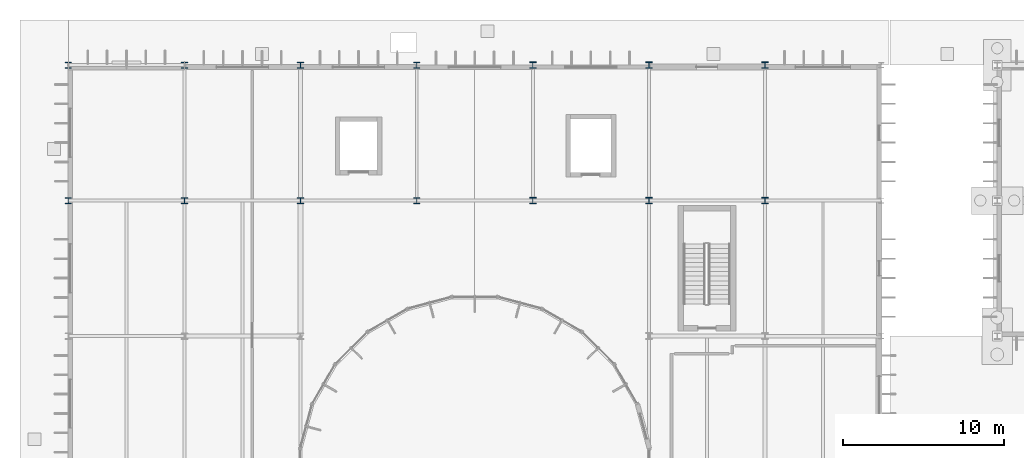
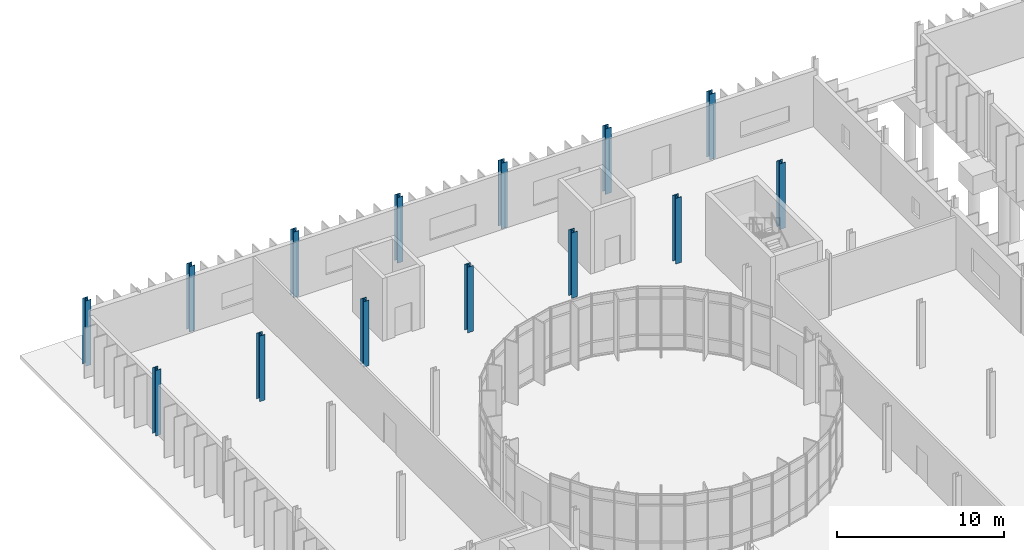
# One storey, part 19 of 118: 14 columns.
"""IFC4 building model written with IfcOpenShell, lengths in metres."""

from ifc_helpers import new_model, si_unit, direction, frame, origin, origin_2d, place, context, subcontext, project, spatial, i_section, extrude, material, material_profile, profile_set, type_object, element, save


model = new_model("IFC4")

# Units and contexts
model_context = context("Model", 3, precision=1e-05, world=origin(), true_north=direction((0.0, 1.0)))
body_context = subcontext(model_context, "Body", "Model", "MODEL_VIEW")
ifc_project = project(units=[si_unit("LENGTHUNIT", "METRE"), si_unit("AREAUNIT", "SQUARE_METRE"), si_unit("VOLUMEUNIT", "CUBIC_METRE"), si_unit("PLANEANGLEUNIT", "RADIAN"), si_unit("MASSUNIT", "GRAM", prefix="KILO")], contexts=[model_context])

# Site, building, storey
site_placement = place(None, origin())
site = spatial("IfcSite", under=ifc_project, at=site_placement, CompositionType="ELEMENT")
building_placement = place(site_placement, origin())
building = spatial("IfcBuilding", under=site, at=building_placement, Name="Qelthora Terrace Specialist Clinic", CompositionType="ELEMENT")
storey_placement = place(building_placement, origin())
storey = spatial("IfcBuildingStorey", under=building, at=storey_placement, Name="L00", CompositionType="ELEMENT", Elevation=0.0)

# Columns
ifc_material = material(Name="Steel S355", Category="steel")
ifc_material_profile_1 = material_profile(ifc_material, i_section(OverallWidth=0.37109375, OverallDepth=0.364013671875, WebThickness=0.01318359375, FlangeThickness=0.021728515625, FilletRadius=0.02001953125, at=origin_2d()), Name="W360X162")
ifc_profile_set_1 = profile_set([ifc_material_profile_1], Name="Steel S355")
column_type_1 = type_object("IfcColumnType", Name="COL-W360X162", PredefinedType="COLUMN", material=ifc_profile_set_1)
column_1_placement = place(storey_placement, frame((0.0, 109.199951171875, 0.0), z_axis=(0.0, 0.0, 1.0), x_axis=(1.0, 0.0, 0.0)))
element("IfcColumn", 1, at=column_1_placement, inside=storey, type_object=column_type_1, Name="Column L00-014", PredefinedType="COLUMN", context=body_context, shape_type="SweptSolid", body=[
    extrude(i_section(OverallWidth=0.37109375, OverallDepth=0.364013671875, WebThickness=0.01318359375, FlangeThickness=0.021728515625, FilletRadius=0.02001953125, at=origin_2d()), origin(), (0.0, 0.0, 1.0), 4.800048828125),
])
ifc_material_profile_2 = material_profile(ifc_material, i_section(OverallWidth=0.373046875, OverallDepth=0.367919921875, WebThickness=0.014892578125, FlangeThickness=0.02392578125, FilletRadius=0.02001953125, at=origin_2d()), Name="W360X179")
ifc_profile_set_2 = profile_set([ifc_material_profile_2], Name="Steel S355")
column_type_2 = type_object("IfcColumnType", Name="COL-W360X179", PredefinedType="COLUMN", material=ifc_profile_set_2)
column_2_placement = place(storey_placement, frame((0.0, 100.800048828125, 0.0), z_axis=(0.0, 0.0, 1.0), x_axis=(1.0, 0.0, 0.0)))
element("IfcColumn", 2, at=column_2_placement, inside=storey, type_object=column_type_2, Name="Column L00-013", PredefinedType="COLUMN", context=body_context, shape_type="SweptSolid", body=[
    extrude(i_section(OverallWidth=0.373046875, OverallDepth=0.367919921875, WebThickness=0.014892578125, FlangeThickness=0.02392578125, FilletRadius=0.02001953125, at=origin_2d()), origin(), (0.0, 0.0, 1.0), 4.800048828125),
])
ifc_material_profile_3 = material_profile(ifc_material, i_section(OverallWidth=0.39404296875, OverallDepth=0.375, WebThickness=0.017333984375, FlangeThickness=0.027587890625, FilletRadius=0.02001953125, at=origin_2d()), Name="W360X216")
ifc_profile_set_3 = profile_set([ifc_material_profile_3], Name="Steel S355")
column_type_3 = type_object("IfcColumnType", Name="COL-W360X216", PredefinedType="COLUMN", material=ifc_profile_set_3)
for number, where, z_axis, x_axis, name in (
    (3, (7.199951171875, 100.800048828125, 0.0), (0.0, 0.0, 1.0), (1.0, 0.0, 0.0), "Column L00-027"),
    (4, (14.39990234375, 100.800048828125, 0.0), (0.0, 0.0, 1.0), (1.0, 0.0, 0.0), "Column L00-041"),
    (5, (21.60009765625, 109.199951171875, 0.0), (0.0, 0.0, 1.0), (1.0, 0.0, 0.0), "Column L00-053"),
):
    element("IfcColumn", number, at=place(storey_placement, frame(where, z_axis=z_axis, x_axis=x_axis)), inside=storey, type_object=column_type_3, Name=name, PredefinedType="COLUMN", context=body_context, shape_type="SweptSolid", body=[
        extrude(i_section(OverallWidth=0.39404296875, OverallDepth=0.375, WebThickness=0.017333984375, FlangeThickness=0.027587890625, FilletRadius=0.02001953125, at=origin_2d()), origin(), (0.0, 0.0, 1.0), 4.800048828125),
    ])
ifc_material_profile_4 = material_profile(ifc_material, i_section(OverallWidth=0.39501953125, OverallDepth=0.3798828125, WebThickness=0.018798828125, FlangeThickness=0.0302734375, FilletRadius=0.02001953125, at=origin_2d()), Name="W360X237")
ifc_profile_set_4 = profile_set([ifc_material_profile_4], Name="Steel S355")
column_type_4 = type_object("IfcColumnType", Name="COL-W360X237", PredefinedType="COLUMN", material=ifc_profile_set_4)
for number, where, z_axis, x_axis, name in (
    (6, (7.199951171875, 109.199951171875, 0.0), (0.0, 0.0, 1.0), (1.0, 0.0, 0.0), "Column L00-028"),
    (7, (14.39990234375, 109.199951171875, 0.0), (0.0, 0.0, 1.0), (1.0, 0.0, 0.0), "Column L00-042"),
    (8, (21.60009765625, 100.800048828125, 0.0), (0.0, 0.0, 1.0), (1.0, 0.0, 0.0), "Column L00-052"),
):
    element("IfcColumn", number, at=place(storey_placement, frame(where, z_axis=z_axis, x_axis=x_axis)), inside=storey, type_object=column_type_4, Name=name, PredefinedType="COLUMN", context=body_context, shape_type="SweptSolid", body=[
        extrude(i_section(OverallWidth=0.39501953125, OverallDepth=0.3798828125, WebThickness=0.018798828125, FlangeThickness=0.0302734375, FilletRadius=0.02001953125, at=origin_2d()), origin(), (0.0, 0.0, 1.0), 4.800048828125),
    ])
ifc_material_profile_5 = material_profile(ifc_material, i_section(OverallWidth=0.39794921875, OverallDepth=0.386962890625, WebThickness=0.02099609375, FlangeThickness=0.033203125, FilletRadius=0.02001953125, at=origin_2d()), Name="W360X262")
ifc_profile_set_5 = profile_set([ifc_material_profile_5], Name="Steel S355")
column_type_5 = type_object("IfcColumnType", Name="COL-W360X262", PredefinedType="COLUMN", material=ifc_profile_set_5)
for number, where, z_axis, x_axis, name in (
    (9, (28.800048828125, 100.800048828125, 0.0), (0.0, 0.0, 1.0), (1.0, 0.0, 0.0), "Column L00-063"),
    (10, (36.0, 100.800048828125, 0.0), (0.0, 0.0, 1.0), (1.0, 0.0, 0.0), "Column L00-077"),
    (11, (43.199951171875, 100.800048828125, 0.0), (0.0, 0.0, 1.0), (1.0, 0.0, 0.0), "Column L00-091"),
):
    element("IfcColumn", number, at=place(storey_placement, frame(where, z_axis=z_axis, x_axis=x_axis)), inside=storey, type_object=column_type_5, Name=name, PredefinedType="COLUMN", context=body_context, shape_type="SweptSolid", body=[
        extrude(i_section(OverallWidth=0.39794921875, OverallDepth=0.386962890625, WebThickness=0.02099609375, FlangeThickness=0.033203125, FilletRadius=0.02001953125, at=origin_2d()), origin(), (0.0, 0.0, 1.0), 4.800048828125),
    ])
ifc_material_profile_6 = material_profile(ifc_material, i_section(OverallWidth=0.39892578125, OverallDepth=0.39306640625, WebThickness=0.022705078125, FlangeThickness=0.035888671875, FilletRadius=0.02001953125, at=origin_2d()), Name="W360X287")
ifc_profile_set_6 = profile_set([ifc_material_profile_6], Name="Steel S355")
column_type_6 = type_object("IfcColumnType", Name="COL-W360X287", PredefinedType="COLUMN", material=ifc_profile_set_6)
for number, where, z_axis, x_axis, name in (
    (12, (28.800048828125, 109.199951171875, 0.0), (0.0, 0.0, 1.0), (1.0, 0.0, 0.0), "Column L00-064"),
    (13, (36.0, 109.199951171875, 0.0), (0.0, 0.0, 1.0), (1.0, 0.0, 0.0), "Column L00-078"),
    (14, (43.199951171875, 109.199951171875, 0.0), (0.0, 0.0, 1.0), (1.0, 0.0, 0.0), "Column L00-092"),
):
    element("IfcColumn", number, at=place(storey_placement, frame(where, z_axis=z_axis, x_axis=x_axis)), inside=storey, type_object=column_type_6, Name=name, PredefinedType="COLUMN", context=body_context, shape_type="SweptSolid", body=[
        extrude(i_section(OverallWidth=0.39892578125, OverallDepth=0.39306640625, WebThickness=0.022705078125, FlangeThickness=0.035888671875, FilletRadius=0.02001953125, at=origin_2d()), origin(), (0.0, 0.0, 1.0), 4.800048828125),
    ])

save(model, "model.ifc")
